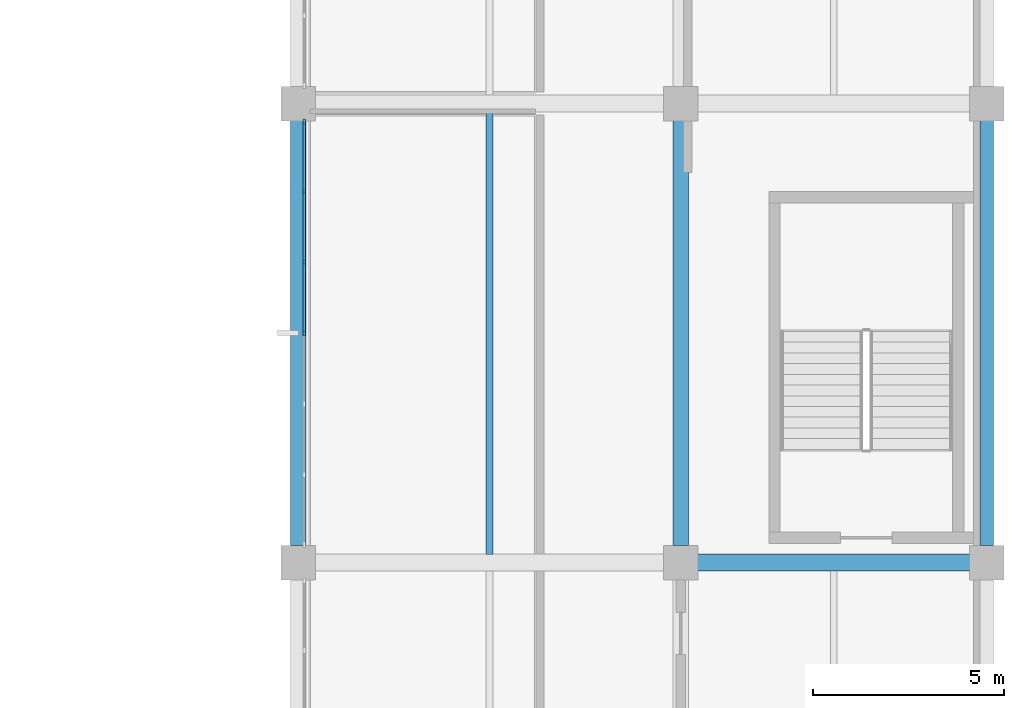
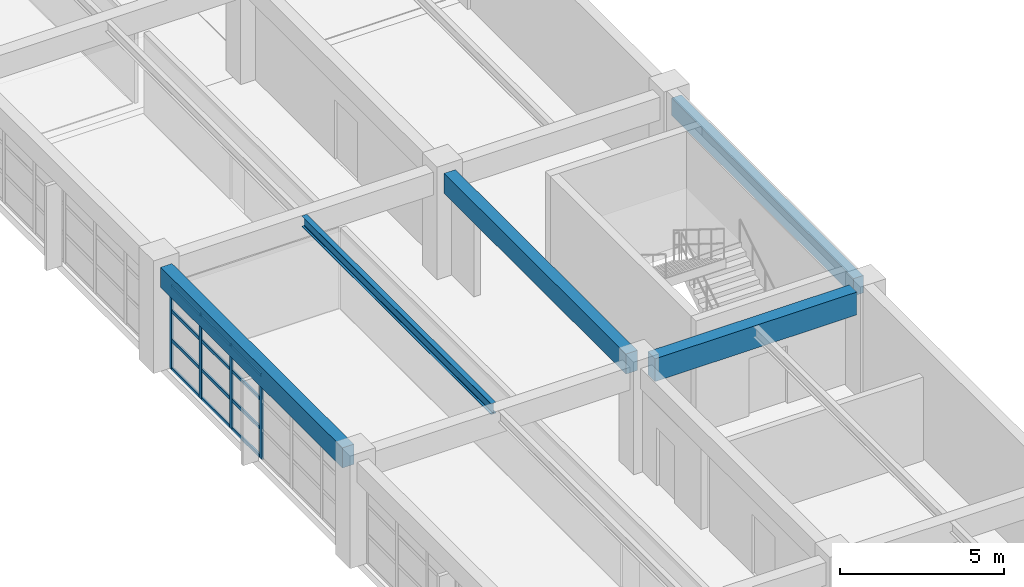
# One storey, part 56 of 100: 16 members, 5 beams, 1 element without a shape of its own.
"""IFC4 building model written with IfcOpenShell, lengths in metres."""

from ifc_helpers import new_model, si_unit, direction, frame, origin, origin_2d, place, context, subcontext, project, spatial, rectangle, i_section, extrude, material, layer, layer_set, material_profile, profile_set, type_object, element, aggregate, save


model = new_model("IFC4")

# Units and contexts
model_context = context("Model", 3, precision=1e-05, world=origin(), true_north=direction((0.0, 1.0)))
body_context = subcontext(model_context, "Body", "Model", "MODEL_VIEW")
ifc_project = project(units=[si_unit("LENGTHUNIT", "METRE"), si_unit("AREAUNIT", "SQUARE_METRE"), si_unit("VOLUMEUNIT", "CUBIC_METRE"), si_unit("PLANEANGLEUNIT", "RADIAN"), si_unit("MASSUNIT", "GRAM", prefix="KILO")], contexts=[model_context])

# Site, building, storey
site_placement = place(None, origin())
site = spatial("IfcSite", under=ifc_project, at=site_placement, CompositionType="ELEMENT")
building_placement = place(site_placement, origin())
building = spatial("IfcBuilding", under=site, at=building_placement, Name="Kivolera Central Railway Station", CompositionType="ELEMENT")
storey_placement = place(building_placement, frame((0.0, 0.0, 5.39990234375)))
storey = spatial("IfcBuildingStorey", under=building, at=storey_placement, Name="L01", CompositionType="ELEMENT", Elevation=5.39990234375)

# Beams
ifc_material_1 = material(Name="Steel S355", Category="steel")
ifc_material_profile_1 = material_profile(ifc_material_1, i_section(OverallWidth=0.179931640625, OverallDepth=0.39990234375, WebThickness=0.008544921875, FlangeThickness=0.013427734375, FilletRadius=0.02099609375, at=origin_2d()), Name="IPE 400")
ifc_profile_set_1 = profile_set([ifc_material_profile_1], Name="Steel S355")
beam_type_1 = type_object("IfcBeamType", Name="BM-JST-IPE400", PredefinedType="JOIST", material=ifc_profile_set_1)
beam_1_placement = place(storey_placement, frame((183.0, 90.217041015625, 3.668212890625), z_axis=(0.0, 1.0, 0.0), x_axis=(-1.0, 0.0, 0.0)))
element("IfcBeam", 1, at=beam_1_placement, inside=storey, type_object=beam_type_1, Name="L01 Floor Joist 18-19/H-J", PredefinedType="JOIST", context=body_context, shape_type="SweptSolid", body=[
    extrude(i_section(OverallWidth=0.179931640625, OverallDepth=0.39990234375, WebThickness=0.008544921875, FlangeThickness=0.013427734375, FilletRadius=0.02099609375, at=origin_2d()), origin(), (0.0, 0.0, 1.0), 11.56591796875),
])
ifc_material_2 = material(Name="Concrete C40/50", Category="concrete")
ifc_material_profile_2 = material_profile(ifc_material_2, rectangle(XDim=0.39990234375, YDim=0.75, at=origin_2d()), Name="RC 400x750")
ifc_profile_set_2 = profile_set([ifc_material_profile_2], Name="Concrete C40/50")
beam_type_2 = type_object("IfcBeamType", Name="BM-RC-400x750", PredefinedType="BEAM", material=ifc_profile_set_2)
for number, where, z_axis, x_axis, name in (
    (2, (178.0, 90.44189453125, 3.505126953125), (0.0, 1.0, 0.0), (-1.0, 0.0, 0.0), "L01 Wing Y-Beam 18:H-J"),
    (3, (188.0, 90.44189453125, 3.505126953125), (0.0, 1.0, 0.0), (-1.0, 0.0, 0.0), "L01 Wing Y-Beam 19:H-J"),
):
    element("IfcBeam", number, at=place(storey_placement, frame(where, z_axis=z_axis, x_axis=x_axis)), inside=storey, type_object=beam_type_2, Name=name, PredefinedType="BEAM", context=body_context, shape_type="SweptSolid", body=[
        extrude(rectangle(XDim=0.39990234375, YDim=0.75, at=origin_2d()), origin(), (0.0, 0.0, 1.0), 11.1162109375),
    ])
ifc_material_profile_3 = material_profile(ifc_material_2, rectangle(XDim=0.449951171875, YDim=0.85009765625, at=origin_2d()), Name="RC 450x850")
ifc_profile_set_3 = profile_set([ifc_material_profile_3], Name="Concrete C40/50")
beam_type_3 = type_object("IfcBeamType", Name="BM-RC-450x850", PredefinedType="BEAM", material=ifc_profile_set_3)
beam_2_placement = place(storey_placement, frame((188.44189453125, 90.0, 3.455078125), z_axis=(1.0, 0.0, 0.0), x_axis=(0.0, 1.0, 0.0)))
element("IfcBeam", 4, at=beam_2_placement, inside=storey, type_object=beam_type_3, Name="L01 Wing X-Beam H:19-20", PredefinedType="BEAM", context=body_context, shape_type="SweptSolid", body=[
    extrude(rectangle(XDim=0.449951171875, YDim=0.85009765625, at=origin_2d()), origin(), (0.0, 0.0, 1.0), 7.1162109375),
])
ifc_material_profile_4 = material_profile(ifc_material_2, rectangle(XDim=0.35009765625, YDim=0.64990234375, at=origin_2d()), Name="RC 350x650")
ifc_profile_set_4 = profile_set([ifc_material_profile_4], Name="Concrete C40/50")
beam_type_4 = type_object("IfcBeamType", Name="BM-SPN-RC650", PredefinedType="SPANDREL", material=ifc_profile_set_4)
beam_3_placement = place(storey_placement, frame((196.0, 90.44189453125, 3.55517578125), z_axis=(0.0, 1.0, 0.0), x_axis=(-1.0, 0.0, 0.0)))
element("IfcBeam", 5, at=beam_3_placement, inside=storey, type_object=beam_type_4, Name="L01 Wing Y-Beam 20:H-J", PredefinedType="SPANDREL", context=body_context, shape_type="SweptSolid", body=[
    extrude(rectangle(XDim=0.35009765625, YDim=0.64990234375, at=origin_2d()), origin(), (0.0, 0.0, 1.0), 11.1162109375),
])

# Curtain wall, members
ifc_material_3 = material(Name="Anodised aluminium", Category="aluminium")
ifc_layer = layer(ifc_material_3, 0.179931640625, Name="Anodised aluminium")
ifc_layer_set = layer_set([ifc_layer], Name="Anodised aluminium")
curtain_wall_type = type_object("IfcCurtainWallType", Name="CW-SYS-25", PredefinedType="NOTDEFINED", material=ifc_layer_set)
curtain_wall_placement = place(storey_placement, origin())
curtain_wall = element("IfcCurtainWall", 6, at=curtain_wall_placement, inside=storey, type_object=curtain_wall_type, Name="L01 Curtain Wall CW-L01-CRTE-H", PredefinedType="NOTDEFINED")
ifc_material_profile_5 = material_profile(ifc_material_3, rectangle(XDim=0.06005859375, YDim=0.14990234375, at=origin_2d()), Name="ALU MULL 60x150")
ifc_profile_set_5 = profile_set([ifc_material_profile_5], Name="Anodised aluminium")
member_type_1 = type_object("IfcMemberType", Name="CWM-MUL-2", PredefinedType="MULLION", material=ifc_profile_set_5)
member_1_placement = place(storey_placement, frame((178.159912109375, 96.0, -0.0048828125), z_axis=(0.0, 0.0, 1.0), x_axis=(-1.0, 0.0, 0.0)))
member_1 = element("IfcMember", 7, at=member_1_placement, type_object=member_type_1, Name="CW-25 mullion 4", PredefinedType="MULLION", context=body_context, shape_type="SweptSolid", body=[
    extrude(rectangle(XDim=0.06005859375, YDim=0.14990234375, at=origin_2d()), origin(), (0.0, 0.0, 1.0), 3.123046875),
])
member_2_placement = place(storey_placement, frame((178.159912109375, 97.8515625, -0.0048828125), z_axis=(0.0, 0.0, 1.0), x_axis=(-1.0, 0.0, 0.0)))
member_2 = element("IfcMember", 8, at=member_2_placement, type_object=member_type_1, Name="CW-25 mullion 5", PredefinedType="MULLION", context=body_context, shape_type="SweptSolid", body=[
    extrude(rectangle(XDim=0.06005859375, YDim=0.14990234375, at=origin_2d()), origin(), (0.0, 0.0, 1.0), 3.123046875),
])
member_3_placement = place(storey_placement, frame((178.159912109375, 99.703369140625, -0.0048828125), z_axis=(0.0, 0.0, 1.0), x_axis=(-1.0, 0.0, 0.0)))
member_3 = element("IfcMember", 9, at=member_3_placement, type_object=member_type_1, Name="CW-25 mullion 6", PredefinedType="MULLION", context=body_context, shape_type="SweptSolid", body=[
    extrude(rectangle(XDim=0.06005859375, YDim=0.14990234375, at=origin_2d()), origin(), (0.0, 0.0, 1.0), 3.123046875),
])
member_4_placement = place(storey_placement, frame((178.159912109375, 101.52490234375, -0.0048828125), z_axis=(0.0, 0.0, 1.0), x_axis=(-1.0, 0.0, 0.0)))
member_4 = element("IfcMember", 10, at=member_4_placement, type_object=member_type_1, Name="CW-25 mullion 7", PredefinedType="MULLION", context=body_context, shape_type="SweptSolid", body=[
    extrude(rectangle(XDim=0.06005859375, YDim=0.14990234375, at=origin_2d()), origin(), (0.0, 0.0, 1.0), 3.123046875),
])
ifc_material_profile_6 = material_profile(ifc_material_3, rectangle(XDim=0.06005859375, YDim=0.1201171875, at=origin_2d()), Name="ALU TRAN 60x120")
ifc_profile_set_6 = profile_set([ifc_material_profile_6], Name="Anodised aluminium")
member_type_2 = type_object("IfcMemberType", Name="CWM-TRN-2", PredefinedType="USERDEFINED", material=ifc_profile_set_6)
member_5_placement = place(storey_placement, frame((178.159912109375, 96.030029296875, 0.030029296875), z_axis=(0.0, 1.0, 0.0), x_axis=(-1.0, 0.0, 0.0)))
member_5 = element("IfcMember", 11, at=member_5_placement, type_object=member_type_2, Name="CW-25 transom 4.1", ObjectType="TRANSOM", PredefinedType="USERDEFINED", context=body_context, shape_type="SweptSolid", body=[
    extrude(rectangle(XDim=0.06005859375, YDim=0.1201171875, at=origin_2d()), origin(), (0.0, 0.0, 1.0), 1.791748046875),
])
member_6_placement = place(storey_placement, frame((178.159912109375, 96.030029296875, 1.09130859375), z_axis=(0.0, 1.0, 0.0), x_axis=(-1.0, 0.0, 0.0)))
member_6 = element("IfcMember", 12, at=member_6_placement, type_object=member_type_2, Name="CW-25 transom 4.2", ObjectType="TRANSOM", PredefinedType="USERDEFINED", context=body_context, shape_type="SweptSolid", body=[
    extrude(rectangle(XDim=0.06005859375, YDim=0.1201171875, at=origin_2d()), origin(), (0.0, 0.0, 1.0), 1.791748046875),
])
member_7_placement = place(storey_placement, frame((178.159912109375, 96.030029296875, 2.1826171875), z_axis=(0.0, 1.0, 0.0), x_axis=(-1.0, 0.0, 0.0)))
member_7 = element("IfcMember", 13, at=member_7_placement, type_object=member_type_2, Name="CW-25 transom 4.3", ObjectType="TRANSOM", PredefinedType="USERDEFINED", context=body_context, shape_type="SweptSolid", body=[
    extrude(rectangle(XDim=0.06005859375, YDim=0.1201171875, at=origin_2d()), origin(), (0.0, 0.0, 1.0), 1.791748046875),
])
member_8_placement = place(storey_placement, frame((178.159912109375, 96.030029296875, 3.088134765625), z_axis=(0.0, 1.0, 0.0), x_axis=(-1.0, 0.0, 0.0)))
member_8 = element("IfcMember", 14, at=member_8_placement, type_object=member_type_2, Name="CW-25 transom 4.4", ObjectType="TRANSOM", PredefinedType="USERDEFINED", context=body_context, shape_type="SweptSolid", body=[
    extrude(rectangle(XDim=0.06005859375, YDim=0.1201171875, at=origin_2d()), origin(), (0.0, 0.0, 1.0), 1.791748046875),
])
member_9_placement = place(storey_placement, frame((178.159912109375, 97.881591796875, 0.030029296875), z_axis=(0.0, 1.0, 0.0), x_axis=(-1.0, 0.0, 0.0)))
member_9 = element("IfcMember", 15, at=member_9_placement, type_object=member_type_2, Name="CW-25 transom 5.1", ObjectType="TRANSOM", PredefinedType="USERDEFINED", context=body_context, shape_type="SweptSolid", body=[
    extrude(rectangle(XDim=0.06005859375, YDim=0.1201171875, at=origin_2d()), origin(), (0.0, 0.0, 1.0), 1.791748046875),
])
member_10_placement = place(storey_placement, frame((178.159912109375, 97.881591796875, 1.09130859375), z_axis=(0.0, 1.0, 0.0), x_axis=(-1.0, 0.0, 0.0)))
member_10 = element("IfcMember", 16, at=member_10_placement, type_object=member_type_2, Name="CW-25 transom 5.2", ObjectType="TRANSOM", PredefinedType="USERDEFINED", context=body_context, shape_type="SweptSolid", body=[
    extrude(rectangle(XDim=0.06005859375, YDim=0.1201171875, at=origin_2d()), origin(), (0.0, 0.0, 1.0), 1.791748046875),
])
member_11_placement = place(storey_placement, frame((178.159912109375, 97.881591796875, 2.1826171875), z_axis=(0.0, 1.0, 0.0), x_axis=(-1.0, 0.0, 0.0)))
member_11 = element("IfcMember", 17, at=member_11_placement, type_object=member_type_2, Name="CW-25 transom 5.3", ObjectType="TRANSOM", PredefinedType="USERDEFINED", context=body_context, shape_type="SweptSolid", body=[
    extrude(rectangle(XDim=0.06005859375, YDim=0.1201171875, at=origin_2d()), origin(), (0.0, 0.0, 1.0), 1.791748046875),
])
member_12_placement = place(storey_placement, frame((178.159912109375, 97.881591796875, 3.088134765625), z_axis=(0.0, 1.0, 0.0), x_axis=(-1.0, 0.0, 0.0)))
member_12 = element("IfcMember", 18, at=member_12_placement, type_object=member_type_2, Name="CW-25 transom 5.4", ObjectType="TRANSOM", PredefinedType="USERDEFINED", context=body_context, shape_type="SweptSolid", body=[
    extrude(rectangle(XDim=0.06005859375, YDim=0.1201171875, at=origin_2d()), origin(), (0.0, 0.0, 1.0), 1.791748046875),
])
member_13_placement = place(storey_placement, frame((178.159912109375, 99.7333984375, 0.030029296875), z_axis=(0.0, 1.0, 0.0), x_axis=(-1.0, 0.0, 0.0)))
member_13 = element("IfcMember", 19, at=member_13_placement, type_object=member_type_2, Name="CW-25 transom 6.1", ObjectType="TRANSOM", PredefinedType="USERDEFINED", context=body_context, shape_type="SweptSolid", body=[
    extrude(rectangle(XDim=0.06005859375, YDim=0.1201171875, at=origin_2d()), origin(), (0.0, 0.0, 1.0), 1.76171875),
])
member_14_placement = place(storey_placement, frame((178.159912109375, 99.7333984375, 1.09130859375), z_axis=(0.0, 1.0, 0.0), x_axis=(-1.0, 0.0, 0.0)))
member_14 = element("IfcMember", 20, at=member_14_placement, type_object=member_type_2, Name="CW-25 transom 6.2", ObjectType="TRANSOM", PredefinedType="USERDEFINED", context=body_context, shape_type="SweptSolid", body=[
    extrude(rectangle(XDim=0.06005859375, YDim=0.1201171875, at=origin_2d()), origin(), (0.0, 0.0, 1.0), 1.76171875),
])
member_15_placement = place(storey_placement, frame((178.159912109375, 99.7333984375, 2.1826171875), z_axis=(0.0, 1.0, 0.0), x_axis=(-1.0, 0.0, 0.0)))
member_15 = element("IfcMember", 21, at=member_15_placement, type_object=member_type_2, Name="CW-25 transom 6.3", ObjectType="TRANSOM", PredefinedType="USERDEFINED", context=body_context, shape_type="SweptSolid", body=[
    extrude(rectangle(XDim=0.06005859375, YDim=0.1201171875, at=origin_2d()), origin(), (0.0, 0.0, 1.0), 1.76171875),
])
member_16_placement = place(storey_placement, frame((178.159912109375, 99.7333984375, 3.088134765625), z_axis=(0.0, 1.0, 0.0), x_axis=(-1.0, 0.0, 0.0)))
member_16 = element("IfcMember", 22, at=member_16_placement, type_object=member_type_2, Name="CW-25 transom 6.4", ObjectType="TRANSOM", PredefinedType="USERDEFINED", context=body_context, shape_type="SweptSolid", body=[
    extrude(rectangle(XDim=0.06005859375, YDim=0.1201171875, at=origin_2d()), origin(), (0.0, 0.0, 1.0), 1.76171875),
])
aggregate(curtain_wall, [member_1, member_2, member_3, member_4, member_5, member_6, member_7, member_8, member_9, member_10, member_11, member_12, member_13, member_14, member_15, member_16])

save(model, "model.ifc")
